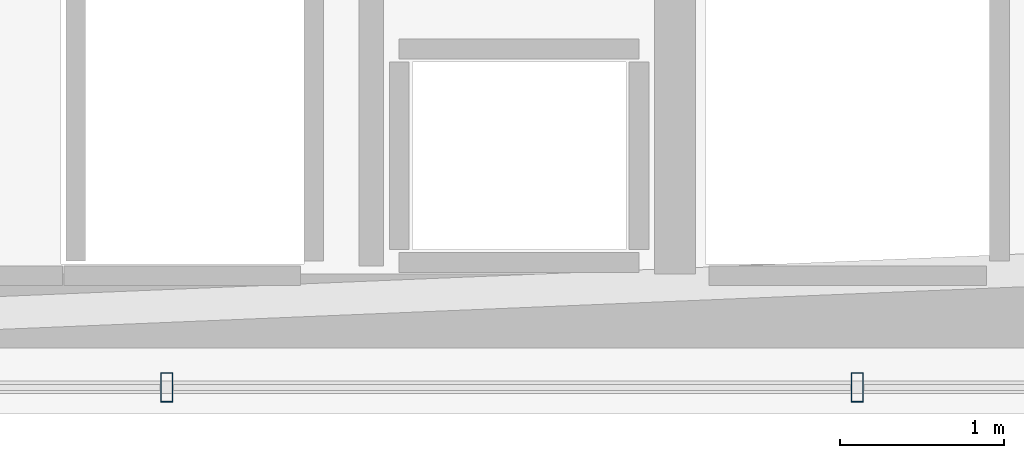
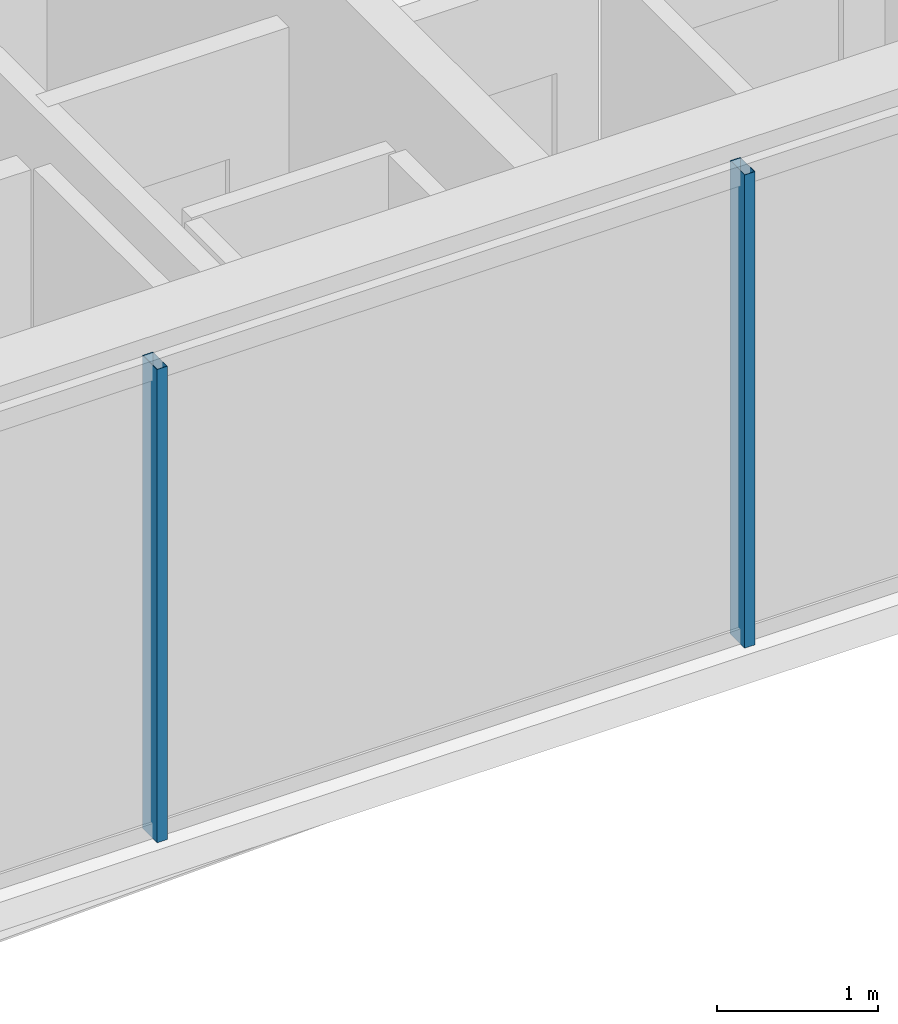
# One storey, part 9 of 31: 2 members, 1 element without a shape of its own.
"""IFC4 building model written with IfcOpenShell, lengths in metres."""

import ifcopenshell
import ifcopenshell.guid

model = None  # the IFC model being written
_history = None  # IfcOwnerHistory: only IFC2X3 demands one
_inside = {}  # id of a spatial element -> (the spatial element, [elements in it])
_under = {}  # id of a project, library or spatial element -> (it, [spatial elements below it])
_declared = {}  # id of a project -> (the project, [libraries it declares])
_typed = {}  # id of a type object -> (the type object, [elements of that type])
_made_of = {}  # id of a material, layer set ... -> (it, [elements and type objects made of it])


def new_model(schema):
    """Start an empty IFC model of exactly this schema.

    Asked for "IFC4X3", IfcOpenShell would pick the latest addendum, in which some entities
    have other attributes; the version numbers below select the first issue.
    IFC2X3 requires an IfcOwnerHistory on every rooted entity: one is made here for all.
    """
    global model, _history
    if schema == "IFC4X3":
        model = ifcopenshell.file(schema_version=(4, 3, 0, 0))
    else:
        model = ifcopenshell.file(schema=schema)
    _inside.clear()
    _under.clear()
    _declared.clear()
    _typed.clear()
    _made_of.clear()
    _history = None
    if model.schema == "IFC2X3":
        org = make("IfcOrganization", Name="unknown")
        user = make(
            "IfcPersonAndOrganization",
            ThePerson=make("IfcPerson", FamilyName="unknown"),
            TheOrganization=org,
        )
        app = make(
            "IfcApplication",
            ApplicationDeveloper=org,
            Version="unknown",
            ApplicationFullName="unknown",
            ApplicationIdentifier="unknown",
        )
        _history = make(
            "IfcOwnerHistory",
            OwningUser=user,
            OwningApplication=app,
            ChangeAction="ADDED",
            CreationDate=0,
        )
    return model


def make(cls, **values):
    """One entity of the class cls with the attributes given. An attribute that is None is left unset."""
    return model.create_entity(
        cls, **{name: value for name, value in values.items() if value is not None}
    )


def rooted(cls, **values):
    """An entity with a GlobalId (a new one), such as an element, a storey or a relation."""
    return make(cls, GlobalId=ifcopenshell.guid.new(), OwnerHistory=_history, **values)


def si_unit(unit_type, name, prefix=None):
    """IfcSIUnit, for example si_unit("LENGTHUNIT", "METRE", prefix="MILLI")."""
    return make("IfcSIUnit", UnitType=unit_type, Prefix=prefix, Name=name)


def assignment(units):
    """IfcUnitAssignment: the units of a project."""
    return None if units is None else make("IfcUnitAssignment", Units=units)


def point(xyz):
    """IfcCartesianPoint."""
    return None if xyz is None else make("IfcCartesianPoint", Coordinates=xyz)


def direction(xyz):
    """IfcDirection."""
    return None if xyz is None else make("IfcDirection", DirectionRatios=xyz)


def frame(location, z_axis=None, x_axis=None):
    """IfcAxis2Placement3D, a coordinate frame: its origin and axes. An axis left out is left unset."""
    return make(
        "IfcAxis2Placement3D",
        Location=point(location),
        Axis=direction(z_axis),
        RefDirection=direction(x_axis),
    )


def frame_2d(location, x_axis=None):
    """IfcAxis2Placement2D, a coordinate frame in the plane: its origin and x axis."""
    return make(
        "IfcAxis2Placement2D", Location=point(location), RefDirection=direction(x_axis)
    )


def origin():
    """The frame at (0, 0, 0) with its axes left unset."""
    return frame((0.0, 0.0, 0.0))


def origin_2d():
    """The frame at (0, 0) in the plane with its x axis left unset."""
    return frame_2d((0.0, 0.0))


def place(relative_to, where):
    """IfcLocalPlacement: puts the frame where relative to a parent placement (None: the world)."""
    return make(
        "IfcLocalPlacement", PlacementRelTo=relative_to, RelativePlacement=where
    )


def context(
    kind, dimensions, precision=None, world=None, true_north=None, identifier=None
):
    """IfcGeometricRepresentationContext, for example the 3D "Model" context."""
    return make(
        "IfcGeometricRepresentationContext",
        ContextIdentifier=identifier,
        ContextType=kind,
        CoordinateSpaceDimension=dimensions,
        Precision=precision,
        WorldCoordinateSystem=world,
        TrueNorth=true_north,
    )


def subcontext(parent, identifier, kind, view, scale=None):
    """IfcGeometricRepresentationSubContext, for example "Body" below "Model"."""
    return make(
        "IfcGeometricRepresentationSubContext",
        ContextIdentifier=identifier,
        ContextType=kind,
        ParentContext=parent,
        TargetScale=scale,
        TargetView=view,
    )


def project(units=None, contexts=None):
    """IfcProject with its units and contexts."""
    return rooted(
        "IfcProject",
        Name="project",
        RepresentationContexts=contexts,
        UnitsInContext=assignment(units),
    )


def spatial(cls, under=None, at=None, **own):
    """A site, building, storey or space (cls), placed at a placement, below another one or the project."""
    s = rooted(cls, ObjectPlacement=at, **own)
    if under is not None:
        _under.setdefault(under.id(), (under, []))[1].append(s)
    return s


def profile(cls, at=None, kind="AREA", **sizes):
    """A parametric profile (cls). Its sizes go by their IFC names, for example OverallWidth=200.0."""
    return make(cls, ProfileType=kind, Position=at, **sizes)


def hollow_rectangle(**sizes):
    """IfcRectangleHollowProfileDef."""
    return profile("IfcRectangleHollowProfileDef", **sizes)


def extrude(swept, where, along, depth):
    """IfcExtrudedAreaSolid: the profile swept, set in the frame where, extruded along a direction by depth."""
    return make(
        "IfcExtrudedAreaSolid",
        SweptArea=swept,
        Position=where,
        ExtrudedDirection=direction(along),
        Depth=depth,
    )


def shape(context_of_items, identifier, shape_type, items):
    """IfcShapeRepresentation: the items that make up one representation, for example the "Body"."""
    return make(
        "IfcShapeRepresentation",
        ContextOfItems=context_of_items,
        RepresentationIdentifier=identifier,
        RepresentationType=shape_type,
        Items=items,
    )


def material(Name=None, Category=None):
    """IfcMaterial."""
    return make("IfcMaterial", Name=Name, Category=Category)


def layer(
    of_material, thickness, ventilated=None, Name=None, Category=None, Priority=None
):
    """IfcMaterialLayer: one layer of a wall or slab, of a material (None: an air gap)."""
    return make(
        "IfcMaterialLayer",
        Material=of_material,
        LayerThickness=thickness,
        IsVentilated=ventilated,
        Name=Name,
        Category=Category,
        Priority=Priority,
    )


def layer_set(layers, Name=None):
    """IfcMaterialLayerSet."""
    return make("IfcMaterialLayerSet", MaterialLayers=layers, LayerSetName=Name)


def material_profile(
    of_material, cross_section, Name=None, Category=None, Priority=None
):
    """IfcMaterialProfile: a cross section and its material."""
    return make(
        "IfcMaterialProfile",
        Name=Name,
        Material=of_material,
        Profile=cross_section,
        Priority=Priority,
        Category=Category,
    )


def profile_set(profiles, Name=None, composite=None):
    """IfcMaterialProfileSet."""
    return make(
        "IfcMaterialProfileSet",
        Name=Name,
        MaterialProfiles=profiles,
        CompositeProfile=composite,
    )


def made_of(thing, what):
    """Note that an element or type object is made of a material, layer set ...; save() writes the relation."""
    if what is not None:
        _made_of.setdefault(what.id(), (what, []))[1].append(thing)
    return thing


def type_object(cls, material=None, **own):
    """A type object (cls), such as IfcWallType, which elements share."""
    return made_of(rooted(cls, **own), material)


def element(
    cls,
    number,
    at=None,
    inside=None,
    cuts=None,
    type_object=None,
    material=None,
    context=None,
    identifier="Body",
    shape_type=None,
    held_by="IfcProductDefinitionShape",
    body=None,
    shapes=None,
    **own,
):
    """One element of the class cls, such as IfcWall. Its Tag is "e" and its number.

    at: its placement. inside: the storey or other place that contains it. cuts: it is an
    opening in that element (IfcRelVoidsElement). A single representation is given by context,
    identifier, shape_type and body (its items); several are given by shapes. held_by: the class
    of the entity that holds the representations. save() writes the other relations.
    """
    e = rooted(cls, Tag="e%d" % number, ObjectPlacement=at, **own)
    if body is not None:
        shapes = [shape(context, identifier, shape_type, body)]
    if shapes is not None:
        e.Representation = make(held_by, Representations=shapes)
    if inside is not None:
        _inside.setdefault(inside.id(), (inside, []))[1].append(e)
    if cuts is not None:
        rooted(
            "IfcRelVoidsElement", RelatingBuildingElement=cuts, RelatedOpeningElement=e
        )
    if type_object is not None:
        _typed.setdefault(type_object.id(), (type_object, []))[1].append(e)
    return made_of(e, material)


def aggregate(whole, parts):
    """IfcRelAggregates: a whole, such as a stair, and the parts it consists of."""
    return rooted("IfcRelAggregates", RelatingObject=whole, RelatedObjects=parts)


def save(model, path):
    """Write the relations noted so far, then the file.

    IfcRelAggregates (storeys below a building ...), IfcRelContainedInSpatialStructure (elements
    in a storey), IfcRelDefinesByType, IfcRelAssociatesMaterial and IfcRelDeclares: one each for
    every whole, place, type object, material and project.
    """
    for whole, parts in _under.values():
        aggregate(whole, parts)
    for where, things in _inside.values():
        rooted(
            "IfcRelContainedInSpatialStructure",
            RelatedElements=things,
            RelatingStructure=where,
        )
    for kind, things in _typed.values():
        rooted("IfcRelDefinesByType", RelatedObjects=things, RelatingType=kind)
    for what, things in _made_of.values():
        rooted("IfcRelAssociatesMaterial", RelatedObjects=things, RelatingMaterial=what)
    for by, libraries in _declared.values():
        rooted("IfcRelDeclares", RelatingContext=by, RelatedDefinitions=libraries)
    model.write(path)


model = new_model("IFC4")

# Units and contexts
model_context = context("Model", 3, precision=1e-05, world=origin(), true_north=direction((0.0, 1.0)))
body_context = subcontext(model_context, "Body", "Model", "MODEL_VIEW")
ifc_project = project(units=[si_unit("LENGTHUNIT", "METRE"), si_unit("AREAUNIT", "SQUARE_METRE"), si_unit("VOLUMEUNIT", "CUBIC_METRE"), si_unit("PLANEANGLEUNIT", "RADIAN"), si_unit("MASSUNIT", "GRAM", prefix="KILO")], contexts=[model_context])

# Site, building, storey
site_placement = place(None, origin())
site = spatial("IfcSite", under=ifc_project, at=site_placement, CompositionType="ELEMENT")
building_placement = place(site_placement, origin())
building = spatial("IfcBuilding", under=site, at=building_placement, Name="Ndaravel Arena Tower", CompositionType="ELEMENT")
storey_placement = place(building_placement, frame((0.0, 0.0, 100.60009765625)))
storey = spatial("IfcBuildingStorey", under=building, at=storey_placement, Name="L23", CompositionType="ELEMENT", Elevation=100.60009765625)

# Curtain wall, members
ifc_material_1 = material(Name="Aluminium", Category="aluminium")
ifc_layer = layer(ifc_material_1, 0.179931640625)
ifc_layer_set = layer_set([ifc_layer], Name="Aluminium")
curtain_wall_type = type_object("IfcCurtainWallType", Name="CW-SYS-03", PredefinedType="NOTDEFINED", material=ifc_layer_set)
curtain_wall_placement = place(storey_placement, origin())
curtain_wall = element("IfcCurtainWall", 1, at=curtain_wall_placement, inside=storey, type_object=curtain_wall_type, Name="L23 Faceted Crystal Curtain Wall CW-L23-E01", PredefinedType="NOTDEFINED")
ifc_material_2 = material(Name="Aluminium", Category="aluminium")
ifc_material_profile = material_profile(ifc_material_2, hollow_rectangle(XDim=0.074951171875, YDim=0.179931640625, WallThickness=0.00390625, at=origin_2d()), Name="CW MULLION 75x180x4")
ifc_profile_set = profile_set([ifc_material_profile], Name="Aluminium")
member_type = type_object("IfcMemberType", Name="MEM-CW-MUL180", PredefinedType="MULLION", material=ifc_profile_set)
member_1_placement = place(storey_placement, frame((46.20458984375, 5.159912109375, 0.0), z_axis=(0.0, 0.0, 1.0), x_axis=(1.0, 0.0, 0.0)))
member_1 = element("IfcMember", 2, at=member_1_placement, type_object=member_type, Name="CW-L23-E01 Mullion 05", PredefinedType="MULLION", context=body_context, shape_type="SweptSolid", body=[
    extrude(hollow_rectangle(XDim=0.074951171875, YDim=0.179931640625, WallThickness=0.00390625, at=origin_2d()), origin(), (0.0, 0.0, 1.0), 3.579833984375),
])
member_2_placement = place(storey_placement, frame((50.408935546875, 5.159912109375, 0.0), z_axis=(0.0, 0.0, 1.0), x_axis=(1.0, 0.0, 0.0)))
member_2 = element("IfcMember", 3, at=member_2_placement, type_object=member_type, Name="CW-L23-E01 Mullion 06", PredefinedType="MULLION", context=body_context, shape_type="SweptSolid", body=[
    extrude(hollow_rectangle(XDim=0.074951171875, YDim=0.179931640625, WallThickness=0.00390625, at=origin_2d()), origin(), (0.0, 0.0, 1.0), 3.579833984375),
])
aggregate(curtain_wall, [member_1, member_2])

save(model, "model.ifc")
